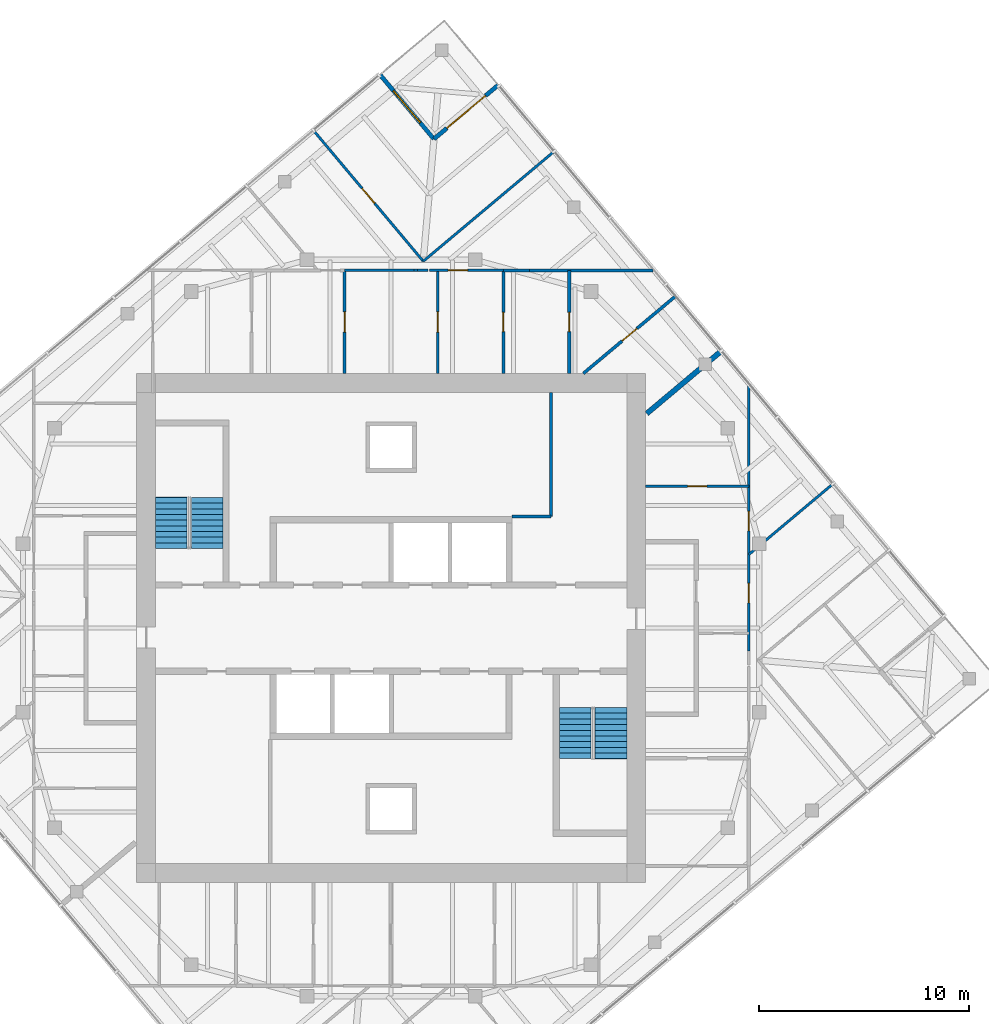
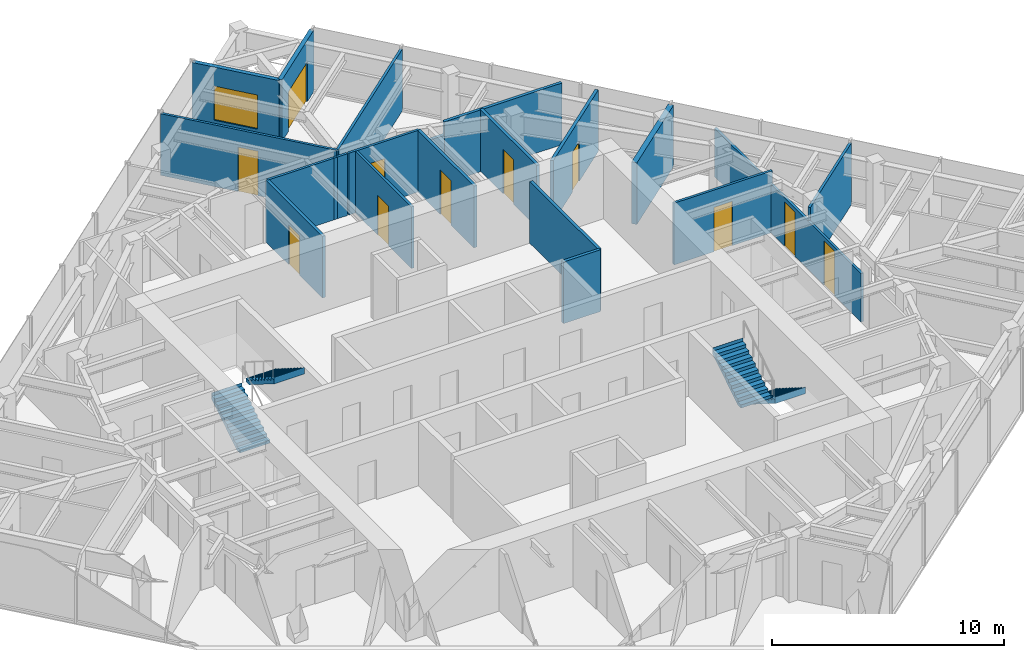
# One storey, part 10 of 11: 21 walls, 11 doors, 4 stair flights, 1 window, 12 openings, 2 elements without a shape of their own.
"""IFC4 building model written with IfcOpenShell, lengths in metres."""

from ifc_helpers import new_model, si_unit, direction, frame, frame_2d, origin, place, context, subcontext, project, spatial, polyline, rectangle, outline, extrude, material, layer, layer_set, type_object, element, fill, aggregate, save


model = new_model("IFC4")

# Units and contexts
model_context = context("Model", 3, precision=1e-05, world=origin(), true_north=direction((0.0, 1.0)))
body_context = subcontext(model_context, "Body", "Model", "MODEL_VIEW")
ifc_project = project(units=[si_unit("LENGTHUNIT", "METRE"), si_unit("AREAUNIT", "SQUARE_METRE"), si_unit("VOLUMEUNIT", "CUBIC_METRE"), si_unit("PLANEANGLEUNIT", "RADIAN"), si_unit("MASSUNIT", "GRAM", prefix="KILO")], contexts=[model_context])

# Site, building, storey
site_placement = place(None, origin())
site = spatial("IfcSite", under=ifc_project, at=site_placement, CompositionType="ELEMENT")
building_placement = place(site_placement, origin())
building = spatial("IfcBuilding", under=site, at=building_placement, Name="Torsade Residences", CompositionType="ELEMENT")
storey_placement = place(building_placement, frame((0.0, 0.0, 272.60009765625)))
storey = spatial("IfcBuildingStorey", under=building, at=storey_placement, Name="L75", CompositionType="ELEMENT", Elevation=272.60009765625)

# Wall, opening, door
ifc_material_1 = material(Name="Plasterboard on steel stud", Category="steel")
ifc_layer_1 = layer(ifc_material_1, 0.1201171875)
ifc_layer_set_1 = layer_set([ifc_layer_1], Name="Plasterboard on steel stud")
wall_type_1 = type_object("IfcWallType", Name="PARTITION 120", PredefinedType="PARTITIONING", material=ifc_layer_set_1)
wall_1_placement = place(storey_placement, frame((52.10009765625, 36.729736328125, 0.0), z_axis=(0.0, 0.0, 1.0), x_axis=(1.0, 0.0, 0.0)))
wall_1 = element("IfcWall", 1, at=wall_1_placement, inside=storey, type_object=wall_type_1, Name="Partition L75", PredefinedType="PARTITIONING", context=body_context, shape_type="SweptSolid", body=[
    extrude(rectangle(XDim=4.89990234375, YDim=0.1201171875, at=frame_2d((2.449951171875, 0.0))), origin(), (0.0, 0.0, 1.0), 3.25),
])
opening_1_placement = place(wall_1_placement, frame((1.989990234375, 0.0, 0.0)))
opening_1 = element("IfcOpeningElement", 2, at=opening_1_placement, cuts=wall_1, Name="Opening D02", PredefinedType="OPENING", context=body_context, shape_type="SweptSolid", body=[
    extrude(rectangle(XDim=0.919921875, YDim=2.340087890625, at=frame_2d((0.4599609375, 1.169921875))), frame((0.0, 0.070068359375, 0.0), z_axis=(0.0, -1.0, 0.0), x_axis=(1.0, 0.0, 0.0)), (0.0, 0.0, 1.0), 0.14013671875),
])
ifc_material_2 = material(Name="Hollow-core timber door", Category="wood")
door_type_1 = type_object("IfcDoorType", Name="INTERNAL DOOR 920x2340", OperationType="NOTDEFINED", PredefinedType="DOOR", material=ifc_material_2)
door_1_placement = place(opening_1_placement, origin())
door_1 = element("IfcDoor", 3, at=door_1_placement, inside=storey, type_object=door_type_1, Name="Door Kitchen and dining to Scullery", OperationType="SINGLE_SWING_RIGHT", OverallHeight=2.340087890625, OverallWidth=0.919921875, PredefinedType="DOOR", context=body_context, shape_type="SweptSolid", body=[
    extrude(rectangle(XDim=0.919921875, YDim=2.340087890625, at=frame_2d((0.4599609375, 1.169921875))), frame((0.0, 0.02490234375, 0.0), z_axis=(0.0, -1.0, 0.0), x_axis=(1.0, 0.0, 0.0)), (0.0, 0.0, 1.0), 0.050048828125),
])
fill(opening_1, door_1)

# Wall, openings, doors
wall_2_placement = place(storey_placement, frame((57.0, 41.5703125, 0.0), z_axis=(0.0, 0.0, 1.0), x_axis=(0.0, -1.0, 0.0)))
wall_2 = element("IfcWall", 4, at=wall_2_placement, inside=storey, type_object=wall_type_1, Name="Partition L75", PredefinedType="PARTITIONING", context=body_context, shape_type="SweptSolid", body=[
    extrude(rectangle(XDim=12.65576171875, YDim=0.1201171875, at=frame_2d((6.327880859375, 0.0))), origin(), (0.0, 0.0, 1.0), 2.5498046875),
])
opening_2_placement = place(wall_2_placement, frame((9.449462890625, 0.0, 0.0)))
opening_2 = element("IfcOpeningElement", 5, at=opening_2_placement, cuts=wall_2, Name="Opening D02", PredefinedType="OPENING", context=body_context, shape_type="SweptSolid", body=[
    extrude(rectangle(XDim=0.919921875, YDim=2.340087890625, at=frame_2d((0.4599609375, 1.169921875))), frame((0.0, 0.070068359375, 0.0), z_axis=(0.0, -1.0, 0.0), x_axis=(1.0, 0.0, 0.0)), (0.0, 0.0, 1.0), 0.14013671875),
])
opening_3_placement = place(wall_2_placement, frame((6.030517578125, 0.0, 0.0)))
opening_3 = element("IfcOpeningElement", 6, at=opening_3_placement, cuts=wall_2, Name="Opening D02", PredefinedType="OPENING", context=body_context, shape_type="SweptSolid", body=[
    extrude(rectangle(XDim=0.919921875, YDim=2.340087890625, at=frame_2d((0.4599609375, 1.169921875))), frame((0.0, 0.070068359375, 0.0), z_axis=(0.0, -1.0, 0.0), x_axis=(1.0, 0.0, 0.0)), (0.0, 0.0, 1.0), 0.14013671875),
])
door_2_placement = place(opening_2_placement, origin())
door_2 = element("IfcDoor", 7, at=door_2_placement, inside=storey, type_object=door_type_1, Name="Door Kitchen and dining to Bedroom 4", OperationType="SINGLE_SWING_LEFT", OverallHeight=2.340087890625, OverallWidth=0.919921875, PredefinedType="DOOR", context=body_context, shape_type="SweptSolid", body=[
    extrude(rectangle(XDim=0.919921875, YDim=2.340087890625, at=frame_2d((0.4599609375, 1.169921875))), frame((0.0, 0.02490234375, 0.0), z_axis=(0.0, -1.0, 0.0), x_axis=(1.0, 0.0, 0.0)), (0.0, 0.0, 1.0), 0.050048828125),
])
fill(opening_2, door_2)
door_3_placement = place(opening_3_placement, origin())
door_3 = element("IfcDoor", 8, at=door_3_placement, inside=storey, type_object=door_type_1, Name="Door Kitchen and dining to Media room", OperationType="SINGLE_SWING_RIGHT", OverallHeight=2.340087890625, OverallWidth=0.919921875, PredefinedType="DOOR", context=body_context, shape_type="SweptSolid", body=[
    extrude(rectangle(XDim=0.919921875, YDim=2.340087890625, at=frame_2d((0.4599609375, 1.169921875))), frame((0.0, 0.02490234375, 0.0), z_axis=(0.0, -1.0, 0.0), x_axis=(1.0, 0.0, 0.0)), (0.0, 0.0, 1.0), 0.050048828125),
])
fill(opening_3, door_3)

# Wall
wall_3_placement = place(storey_placement, frame((57.0, 33.4951171875, 0.0), z_axis=(0.0, 0.0, 1.0), x_axis=(0.76605407051, 0.642776136034, 0.0)))
element("IfcWall", 9, at=wall_3_placement, inside=storey, type_object=wall_type_1, Name="Partition L75", PredefinedType="PARTITIONING", context=body_context, shape_type="SweptSolid", body=[
    extrude(rectangle(XDim=5.190673828125, YDim=0.1201171875, at=frame_2d((2.59521484375, 0.0))), origin(), (0.0, 0.0, 1.0), 3.25),
])

# Wall, opening, door
wall_4_placement = place(storey_placement, frame((42.208251953125, 47.0, 0.0), z_axis=(0.0, 0.0, 1.0), x_axis=(0.0, -1.0, 0.0)))
wall_4 = element("IfcWall", 10, at=wall_4_placement, inside=storey, type_object=wall_type_1, Name="Partition L75", PredefinedType="PARTITIONING", context=body_context, shape_type="SweptSolid", body=[
    extrude(rectangle(XDim=4.89990234375, YDim=0.1201171875, at=frame_2d((2.449951171875, 0.0))), origin(), (0.0, 0.0, 1.0), 3.25),
])
opening_4_placement = place(wall_4_placement, frame((1.969970703125, 0.0, 0.0)))
opening_4 = element("IfcOpeningElement", 11, at=opening_4_placement, cuts=wall_4, Name="Opening D05", PredefinedType="OPENING", context=body_context, shape_type="SweptSolid", body=[
    extrude(rectangle(XDim=0.9599609375, YDim=2.10009765625, at=frame_2d((0.47998046875, 1.050048828125))), frame((0.0, 0.070068359375, 0.0), z_axis=(0.0, -1.0, 0.0), x_axis=(1.0, 0.0, 0.0)), (0.0, 0.0, 1.0), 0.14013671875),
])
ifc_material_3 = material(Name="Hollow-core timber door in a steel cavity frame", Category="steel")
door_type_2 = type_object("IfcDoorType", Name="BATHROOM CAVITY SLIDING DOOR 960", OperationType="SLIDING_TO_LEFT", PredefinedType="DOOR", material=ifc_material_3)
door_4_placement = place(opening_4_placement, origin())
door_4 = element("IfcDoor", 12, at=door_4_placement, inside=storey, type_object=door_type_2, Name="Door Laundry to Walk-in robe", OperationType="SLIDING_TO_LEFT", OverallHeight=2.10009765625, OverallWidth=0.9599609375, PredefinedType="DOOR", context=body_context, shape_type="SweptSolid", body=[
    extrude(rectangle(XDim=0.9599609375, YDim=2.10009765625, at=frame_2d((0.47998046875, 1.050048828125))), frame((0.0, 0.02490234375, 0.0), z_axis=(0.0, -1.0, 0.0), x_axis=(1.0, 0.0, 0.0)), (0.0, 0.0, 1.0), 0.050048828125),
])
fill(opening_4, door_4)

# Wall
wall_5_placement = place(storey_placement, frame((41.257568359375, 47.0, 0.0), z_axis=(0.0, 0.0, 1.0), x_axis=(1.0, 0.0, 0.0)))
element("IfcWall", 13, at=wall_5_placement, inside=storey, type_object=wall_type_1, Name="Partition L75", PredefinedType="PARTITIONING", context=body_context, shape_type="SweptSolid", body=[
    extrude(rectangle(XDim=0.503662109375, YDim=0.1201171875, at=frame_2d((0.251953125, 0.0))), origin(), (0.0, 0.0, 1.0), 3.25),
])

# Wall, opening, door
wall_6_placement = place(storey_placement, frame((41.824462890625, 47.0, 0.0), z_axis=(0.0, 0.0, 1.0), x_axis=(1.0, 0.0, 0.0)))
wall_6 = element("IfcWall", 14, at=wall_6_placement, inside=storey, type_object=wall_type_1, Name="Partition L75", PredefinedType="PARTITIONING", context=body_context, shape_type="SweptSolid", body=[
    extrude(rectangle(XDim=3.51123046875, YDim=0.1201171875, at=frame_2d((1.755615234375, 0.0))), origin(), (0.0, 0.0, 1.0), 3.25),
])
opening_5_placement = place(wall_6_placement, frame((0.887451171875, 0.0, 0.0)))
opening_5 = element("IfcOpeningElement", 15, at=opening_5_placement, cuts=wall_6, Name="Opening D02", PredefinedType="OPENING", context=body_context, shape_type="SweptSolid", body=[
    extrude(rectangle(XDim=0.919921875, YDim=2.340087890625, at=frame_2d((0.4599609375, 1.169921875))), frame((0.0, 0.070068359375, 0.0), z_axis=(0.0, -1.0, 0.0), x_axis=(1.0, 0.0, 0.0)), (0.0, 0.0, 1.0), 0.14013671875),
])
door_5_placement = place(opening_5_placement, origin())
door_5 = element("IfcDoor", 16, at=door_5_placement, inside=storey, type_object=door_type_1, Name="Door Walk-in robe to Bedroom 2", OperationType="SINGLE_SWING_RIGHT", OverallHeight=2.340087890625, OverallWidth=0.919921875, PredefinedType="DOOR", context=body_context, shape_type="SweptSolid", body=[
    extrude(rectangle(XDim=0.919921875, YDim=2.340087890625, at=frame_2d((0.4599609375, 1.169921875))), frame((0.0, 0.02490234375, 0.0), z_axis=(0.0, -1.0, 0.0), x_axis=(1.0, 0.0, 0.0)), (0.0, 0.0, 1.0), 0.050048828125),
])
fill(opening_5, door_5)

# Walls
wall_7_placement = place(storey_placement, frame((37.7861328125, 47.0, 0.0), z_axis=(0.0, 0.0, 1.0), x_axis=(1.0, 0.0, 0.0)))
element("IfcWall", 17, at=wall_7_placement, inside=storey, type_object=wall_type_1, Name="Partition L75", PredefinedType="PARTITIONING", context=body_context, shape_type="SweptSolid", body=[
    extrude(rectangle(XDim=3.29931640625, YDim=0.1201171875, at=frame_2d((1.649658203125, 0.0))), origin(), (0.0, 0.0, 1.0), 3.25),
])
wall_8_placement = place(storey_placement, frame((47.71875, 52.63134765625, 0.0), z_axis=(0.0, 0.0, 1.0), x_axis=(-0.766033729027, -0.642800378028, 0.0)))
element("IfcWall", 18, at=wall_8_placement, inside=storey, type_object=wall_type_1, Name="Partition L75", PredefinedType="PARTITIONING", context=body_context, shape_type="SweptSolid", body=[
    extrude(rectangle(XDim=8.0849609375, YDim=0.1201171875, at=frame_2d((4.04248046875, 0.0))), origin(), (0.0, 0.0, 1.0), 3.25),
])

# Wall, opening, door
wall_9_placement = place(storey_placement, frame((41.525390625, 47.434326171875, 0.0), z_axis=(0.0, 0.0, 1.0), x_axis=(-0.642800378028, 0.766033729027, 0.0)))
wall_9 = element("IfcWall", 19, at=wall_9_placement, inside=storey, type_object=wall_type_1, Name="Partition L75", PredefinedType="PARTITIONING", context=body_context, shape_type="SweptSolid", body=[
    extrude(rectangle(XDim=8.0849609375, YDim=0.1201171875, at=frame_2d((4.04248046875, 0.0))), origin(), (0.0, 0.0, 1.0), 3.25),
])
opening_6_placement = place(wall_9_placement, frame((3.6025390625, 0.0, 0.0)))
opening_6 = element("IfcOpeningElement", 20, at=opening_6_placement, cuts=wall_9, Name="Opening D02", PredefinedType="OPENING", context=body_context, shape_type="SweptSolid", body=[
    extrude(rectangle(XDim=0.919921875, YDim=2.340087890625, at=frame_2d((0.4599609375, 1.169921875))), frame((0.0, 0.070068359375, 0.0), z_axis=(0.0, -1.0, 0.0), x_axis=(1.0, 0.0, 0.0)), (0.0, 0.0, 1.0), 0.14013671875),
])
door_6_placement = place(opening_6_placement, origin())
door_6 = element("IfcDoor", 21, at=door_6_placement, inside=storey, type_object=door_type_1, Name="Door Bedroom 4 to Living room", OperationType="SINGLE_SWING_LEFT", OverallHeight=2.340087890625, OverallWidth=0.919921875, PredefinedType="DOOR", context=body_context, shape_type="SweptSolid", body=[
    extrude(rectangle(XDim=0.919921875, YDim=2.340087890625, at=frame_2d((0.4599609375, 1.169921875))), frame((0.0, 0.02490234375, 0.0), z_axis=(0.0, -1.0, 0.0), x_axis=(1.0, 0.0, 0.0)), (0.0, 0.0, 1.0), 0.050048828125),
])
fill(opening_6, door_6)

# Walls
wall_10_placement = place(storey_placement, frame((41.257568359375, 47.0, 0.0), z_axis=(0.0, 0.0, 1.0), x_axis=(-1.0, 0.0, 0.0)))
element("IfcWall", 22, at=wall_10_placement, inside=storey, type_object=wall_type_1, Name="Partition L75", PredefinedType="PARTITIONING", context=body_context, shape_type="SweptSolid", body=[
    extrude(rectangle(XDim=0.172119140625, YDim=0.1201171875, at=frame_2d((0.0859375, 0.0))), origin(), (0.0, 0.0, 1.0), 3.25),
])
ifc_material_4 = material(Name="Masonry-lined stud party wall", Category="masonry")
ifc_layer_2 = layer(ifc_material_4, 0.25)
ifc_layer_set_2 = layer_set([ifc_layer_2], Name="Masonry-lined stud party wall")
wall_type_2 = type_object("IfcWallType", Name="PARTY WALL 250", PredefinedType="PARTITIONING", material=ifc_layer_set_2)
wall_11_placement = place(storey_placement, frame((55.703857421875, 43.17724609375, 0.0), z_axis=(0.0, 0.0, 1.0), x_axis=(-0.76603440109, -0.64279957712, 0.0)))
element("IfcWall", 23, at=wall_11_placement, inside=storey, type_object=wall_type_2, Name="Party wall L75", PredefinedType="PARTITIONING", context=body_context, shape_type="SweptSolid", body=[
    extrude(rectangle(XDim=4.6396484375, YDim=0.25, at=frame_2d((2.31982421875, 0.0))), origin(), (0.0, 0.0, 1.0), 3.25),
])
ifc_material_5 = material(Name="Reinforced blockwork", Category="masonry")
ifc_layer_3 = layer(ifc_material_5, 0.14990234375)
ifc_layer_set_3 = layer_set([ifc_layer_3], Name="Reinforced blockwork")
wall_type_3 = type_object("IfcWallType", Name="SERVICE ROOM WALL 150", PredefinedType="SOLIDWALL", material=ifc_layer_set_3)
wall_12_placement = place(storey_placement, frame((47.60009765625, 41.199951171875, 0.0), z_axis=(0.0, 0.0, 1.0), x_axis=(0.0, -1.0, 0.0)))
element("IfcWall", 24, at=wall_12_placement, inside=storey, type_object=wall_type_3, Name="Service room wall L75", PredefinedType="SOLIDWALL", context=body_context, shape_type="SweptSolid", body=[
    extrude(rectangle(XDim=5.89990234375, YDim=0.14990234375, at=frame_2d((2.949951171875, 0.0))), origin(), (0.0, 0.0, 1.0), 3.25),
])
wall_13_placement = place(storey_placement, frame((47.60009765625, 35.300048828125, 0.0), z_axis=(0.0, 0.0, 1.0), x_axis=(-1.0, 0.0, 0.0)))
element("IfcWall", 25, at=wall_13_placement, inside=storey, type_object=wall_type_3, Name="Service room wall L75", PredefinedType="SOLIDWALL", context=body_context, shape_type="SweptSolid", body=[
    extrude(rectangle(XDim=1.85009765625, YDim=0.14990234375, at=frame_2d((0.925048828125, 0.0))), origin(), (0.0, 0.0, 1.0), 3.25),
])

# Wall, opening, door
wall_14_placement = place(storey_placement, frame((37.7861328125, 42.10009765625, 0.0), z_axis=(0.0, 0.0, 1.0), x_axis=(0.0, 1.0, 0.0)))
wall_14 = element("IfcWall", 26, at=wall_14_placement, inside=storey, type_object=wall_type_3, Name="Service room wall L75", PredefinedType="SOLIDWALL", context=body_context, shape_type="SweptSolid", body=[
    extrude(rectangle(XDim=4.89990234375, YDim=0.14990234375, at=frame_2d((2.449951171875, 0.0))), origin(), (0.0, 0.0, 1.0), 3.25),
])
opening_7_placement = place(wall_14_placement, frame((1.969970703125, 0.0, 0.0)))
opening_7 = element("IfcOpeningElement", 27, at=opening_7_placement, cuts=wall_14, Name="Opening D05", PredefinedType="OPENING", context=body_context, shape_type="SweptSolid", body=[
    extrude(rectangle(XDim=0.9599609375, YDim=2.10009765625, at=frame_2d((0.47998046875, 1.050048828125))), frame((0.0, 0.0849609375, 0.0), z_axis=(0.0, -1.0, 0.0), x_axis=(1.0, 0.0, 0.0)), (0.0, 0.0, 1.0), 0.169921875),
])
door_7_placement = place(opening_7_placement, origin())
door_7 = element("IfcDoor", 28, at=door_7_placement, inside=storey, type_object=door_type_2, Name="Door Linen store to Laundry", OperationType="SLIDING_TO_LEFT", OverallHeight=2.10009765625, OverallWidth=0.9599609375, PredefinedType="DOOR", context=body_context, shape_type="SweptSolid", body=[
    extrude(rectangle(XDim=0.9599609375, YDim=2.10009765625, at=frame_2d((0.47998046875, 1.050048828125))), frame((0.0, 0.02490234375, 0.0), z_axis=(0.0, -1.0, 0.0), x_axis=(1.0, 0.0, 0.0)), (0.0, 0.0, 1.0), 0.050048828125),
])
fill(opening_7, door_7)

wall_15_placement = place(storey_placement, frame((49.135986328125, 42.10009765625, 0.0), z_axis=(0.0, 0.0, 1.0), x_axis=(0.766055078255, 0.642774935012, 0.0)))
wall_15 = element("IfcWall", 29, at=wall_15_placement, inside=storey, type_object=wall_type_3, Name="Service room wall L75", PredefinedType="SOLIDWALL", context=body_context, shape_type="SweptSolid", body=[
    extrude(rectangle(XDim=5.68359375, YDim=0.14990234375, at=frame_2d((2.841796875, 0.0))), origin(), (0.0, 0.0, 1.0), 3.25),
])
opening_8_placement = place(wall_15_placement, frame((2.40185546875, 0.0, 0.0)))
opening_8 = element("IfcOpeningElement", 30, at=opening_8_placement, cuts=wall_15, Name="Opening D02L", PredefinedType="OPENING", context=body_context, shape_type="SweptSolid", body=[
    extrude(rectangle(XDim=0.919921875, YDim=2.10009765625, at=frame_2d((0.4599609375, 1.050048828125))), frame((0.0, 0.0849609375, 0.0), z_axis=(0.0, -1.0, 0.0), x_axis=(1.0, 0.0, 0.0)), (0.0, 0.0, 1.0), 0.169921875),
])
ifc_material_6 = material(Name="Hollow-core timber door", Category="wood")
door_type_3 = type_object("IfcDoorType", Name="INTERNAL DOOR 920x2100", OperationType="NOTDEFINED", PredefinedType="DOOR", material=ifc_material_6)
door_8_placement = place(opening_8_placement, origin())
door_8 = element("IfcDoor", 31, at=door_8_placement, inside=storey, type_object=door_type_3, Name="Door Linen store 2 to Study", OperationType="SINGLE_SWING_LEFT", OverallHeight=2.10009765625, OverallWidth=0.919921875, PredefinedType="DOOR", context=body_context, shape_type="SweptSolid", body=[
    extrude(rectangle(XDim=0.919921875, YDim=2.10009765625, at=frame_2d((0.4599609375, 1.050048828125))), frame((0.0, 0.02490234375, 0.0), z_axis=(0.0, -1.0, 0.0), x_axis=(1.0, 0.0, 0.0)), (0.0, 0.0, 1.0), 0.050048828125),
])
fill(opening_8, door_8)

wall_16_placement = place(storey_placement, frame((48.463134765625, 42.10009765625, 0.0), z_axis=(0.0, 0.0, 1.0), x_axis=(0.0, 1.0, 0.0)))
wall_16 = element("IfcWall", 32, at=wall_16_placement, inside=storey, type_object=wall_type_3, Name="Service room wall L75", PredefinedType="SOLIDWALL", context=body_context, shape_type="SweptSolid", body=[
    extrude(rectangle(XDim=4.89990234375, YDim=0.14990234375, at=frame_2d((2.449951171875, 0.0))), origin(), (0.0, 0.0, 1.0), 3.25),
])
opening_9_placement = place(wall_16_placement, frame((1.989990234375, 0.0, 0.0)))
opening_9 = element("IfcOpeningElement", 33, at=opening_9_placement, cuts=wall_16, Name="Opening D02", PredefinedType="OPENING", context=body_context, shape_type="SweptSolid", body=[
    extrude(rectangle(XDim=0.919921875, YDim=2.340087890625, at=frame_2d((0.4599609375, 1.169921875))), frame((0.0, 0.0849609375, 0.0), z_axis=(0.0, -1.0, 0.0), x_axis=(1.0, 0.0, 0.0)), (0.0, 0.0, 1.0), 0.169921875),
])
door_9_placement = place(opening_9_placement, origin())
door_9 = element("IfcDoor", 34, at=door_9_placement, inside=storey, type_object=door_type_1, Name="Door Store to Linen store 2", OperationType="SINGLE_SWING_RIGHT", OverallHeight=2.340087890625, OverallWidth=0.919921875, PredefinedType="DOOR", context=body_context, shape_type="SweptSolid", body=[
    extrude(rectangle(XDim=0.919921875, YDim=2.340087890625, at=frame_2d((0.4599609375, 1.169921875))), frame((0.0, 0.02490234375, 0.0), z_axis=(0.0, -1.0, 0.0), x_axis=(1.0, 0.0, 0.0)), (0.0, 0.0, 1.0), 0.050048828125),
])
fill(opening_9, door_9)

# Walls
wall_17_placement = place(storey_placement, frame((45.335693359375, 47.0, 0.0), z_axis=(0.0, 0.0, 1.0), x_axis=(1.0, 0.0, 0.0)))
element("IfcWall", 35, at=wall_17_placement, inside=storey, type_object=wall_type_3, Name="Service room wall L75", PredefinedType="SOLIDWALL", context=body_context, shape_type="SweptSolid", body=[
    extrude(rectangle(XDim=1.247802734375, YDim=0.14990234375, at=frame_2d((0.6240234375, 0.0))), origin(), (0.0, 0.0, 1.0), 2.5498046875),
])
wall_18_placement = place(storey_placement, frame((46.58349609375, 47.0, 0.0), z_axis=(0.0, 0.0, 1.0), x_axis=(1.0, 0.0, 0.0)))
element("IfcWall", 36, at=wall_18_placement, inside=storey, type_object=wall_type_3, Name="Service room wall L75", PredefinedType="SOLIDWALL", context=body_context, shape_type="SweptSolid", body=[
    extrude(rectangle(XDim=5.8603515625, YDim=0.14990234375, at=frame_2d((2.93017578125, 0.0))), origin(), (0.0, 0.0, 1.0), 3.25),
])

# Wall, opening, door
wall_19_placement = place(storey_placement, frame((45.335693359375, 47.0, 0.0), z_axis=(0.0, 0.0, 1.0), x_axis=(0.0, -1.0, 0.0)))
wall_19 = element("IfcWall", 37, at=wall_19_placement, inside=storey, type_object=wall_type_3, Name="Service room wall L75", PredefinedType="SOLIDWALL", context=body_context, shape_type="SweptSolid", body=[
    extrude(rectangle(XDim=4.89990234375, YDim=0.14990234375, at=frame_2d((2.449951171875, 0.0))), origin(), (0.0, 0.0, 1.0), 3.25),
])
opening_10_placement = place(wall_19_placement, frame((1.989990234375, 0.0, 0.0)))
opening_10 = element("IfcOpeningElement", 38, at=opening_10_placement, cuts=wall_19, Name="Opening D02", PredefinedType="OPENING", context=body_context, shape_type="SweptSolid", body=[
    extrude(rectangle(XDim=0.919921875, YDim=2.340087890625, at=frame_2d((0.4599609375, 1.169921875))), frame((0.0, 0.0849609375, 0.0), z_axis=(0.0, -1.0, 0.0), x_axis=(1.0, 0.0, 0.0)), (0.0, 0.0, 1.0), 0.169921875),
])
door_10_placement = place(opening_10_placement, origin())
door_10 = element("IfcDoor", 39, at=door_10_placement, inside=storey, type_object=door_type_1, Name="Door Walk-in robe to Store", OperationType="SINGLE_SWING_LEFT", OverallHeight=2.340087890625, OverallWidth=0.919921875, PredefinedType="DOOR", context=body_context, shape_type="SweptSolid", body=[
    extrude(rectangle(XDim=0.919921875, YDim=2.340087890625, at=frame_2d((0.4599609375, 1.169921875))), frame((0.0, 0.02490234375, 0.0), z_axis=(0.0, -1.0, 0.0), x_axis=(1.0, 0.0, 0.0)), (0.0, 0.0, 1.0), 0.050048828125),
])
fill(opening_10, door_10)

ifc_material_7 = material(Name="Stone-faced precast concrete 40 MPa panel", Category="masonry")
ifc_layer_4 = layer(ifc_material_7, 0.199951171875)
ifc_layer_set_4 = layer_set([ifc_layer_4], Name="Stone-faced precast concrete 40 MPa panel")
wall_type_4 = type_object("IfcWallType", Name="TERRACE WALL 200", PredefinedType="SOLIDWALL", material=ifc_layer_set_4)
wall_20_placement = place(storey_placement, frame((45.097900390625, 55.81689453125, 0.0), z_axis=(0.0, 0.0, 1.0), x_axis=(-0.766060656284, -0.642768287094, 0.0)))
wall_20 = element("IfcWall", 40, at=wall_20_placement, inside=storey, type_object=wall_type_4, Name="Terrace wall L75 5", PredefinedType="SOLIDWALL", context=body_context, shape_type="SweptSolid", body=[
    extrude(rectangle(XDim=4.0, YDim=0.199951171875, at=frame_2d((2.0, 0.0))), origin(), (0.0, 0.0, 1.0), 3.25),
])
opening_11_placement = place(wall_20_placement, frame((0.800048828125, 0.0, 0.0)))
opening_11 = element("IfcOpeningElement", 41, at=opening_11_placement, cuts=wall_20, Name="Opening D10A", PredefinedType="OPENING", context=body_context, shape_type="SweptSolid", body=[
    extrude(rectangle(XDim=2.39990234375, YDim=2.10009765625, at=frame_2d((1.199951171875, 1.050048828125))), frame((0.0, 0.10986328125, 0.0), z_axis=(0.0, -1.0, 0.0), x_axis=(1.0, 0.0, 0.0)), (0.0, 0.0, 1.0), 0.219970703125),
])
ifc_material_8 = material(Name="Aluminium-framed glass door", Category="aluminium")
door_type_4 = type_object("IfcDoorType", Name="TERRACE SLIDING DOOR 2400x2100", OperationType="SLIDING_TO_LEFT", PredefinedType="DOOR", material=ifc_material_8)
door_11_placement = place(opening_11_placement, origin())
door_11 = element("IfcDoor", 42, at=door_11_placement, inside=storey, type_object=door_type_4, Name="Terrace door L75 5", OperationType="SLIDING_TO_LEFT", OverallHeight=2.10009765625, OverallWidth=2.39990234375, PredefinedType="DOOR", context=body_context, shape_type="SweptSolid", body=[
    extrude(rectangle(XDim=2.39990234375, YDim=2.10009765625, at=frame_2d((1.199951171875, 1.050048828125))), frame((0.0, 0.02490234375, 0.0), z_axis=(0.0, -1.0, 0.0), x_axis=(1.0, 0.0, 0.0)), (0.0, 0.0, 1.0), 0.050048828125),
])
fill(opening_11, door_11)

# Wall, opening, window
wall_21_placement = place(storey_placement, frame((42.03369140625, 53.245849609375, 0.0), z_axis=(0.0, 0.0, 1.0), x_axis=(-0.642798342015, 0.766035437498, 0.0)))
wall_21 = element("IfcWall", 43, at=wall_21_placement, inside=storey, type_object=wall_type_4, Name="Terrace wall L75 6", PredefinedType="SOLIDWALL", context=body_context, shape_type="SweptSolid", body=[
    extrude(rectangle(XDim=3.999755859375, YDim=0.199951171875, at=frame_2d((2.0, 0.0))), origin(), (0.0, 0.0, 1.0), 3.25),
])
opening_12_placement = place(wall_21_placement, frame((1.0, 0.0, 0.449951171875)))
opening_12 = element("IfcOpeningElement", 44, at=opening_12_placement, cuts=wall_21, Name="Opening W1B", PredefinedType="OPENING", context=body_context, shape_type="SweptSolid", body=[
    extrude(rectangle(XDim=2.0, YDim=1.800048828125, at=frame_2d((1.0, 0.89990234375))), frame((0.0, 0.10986328125, 0.0), z_axis=(0.0, -1.0, 0.0), x_axis=(1.0, 0.0, 0.0)), (0.0, 0.0, 1.0), 0.219970703125),
])
ifc_material_9 = material(Name="Aluminium-framed glass window", Category="aluminium")
window_type = type_object("IfcWindowType", Name="TERRACE WINDOW 2000x1800", PartitioningType="SINGLE_PANEL", PredefinedType="WINDOW", material=ifc_material_9)
window_placement = place(opening_12_placement, origin())
window = element("IfcWindow", 45, at=window_placement, inside=storey, type_object=window_type, Name="Terrace window L75 6", OverallHeight=1.800048828125, OverallWidth=2.0, PartitioningType="SINGLE_PANEL", PredefinedType="WINDOW", context=body_context, shape_type="SweptSolid", body=[
    extrude(rectangle(XDim=2.0, YDim=1.800048828125, at=frame_2d((1.0, 0.89990234375))), frame((0.0, 0.030029296875, 0.0), z_axis=(0.0, -1.0, 0.0), x_axis=(1.0, 0.0, 0.0)), (0.0, 0.0, 1.0), 0.06005859375),
])
fill(opening_12, window)

# Stair, stair flights
ifc_material_10 = material(Name="Precast concrete 40 MPa", Category="concrete")
stair_type = type_object("IfcStairType", Name="HALF-TURN FIRE STAIR 1500x3400", PredefinedType="HALF_TURN_STAIR", material=ifc_material_10)
stair_1_placement = place(storey_placement, origin())
stair_1 = element("IfcStair", 46, at=stair_1_placement, inside=storey, type_object=stair_type, Name="Stair ST1 L75", PredefinedType="HALF_TURN_STAIR")
ifc_material_11 = material(Name="Precast concrete 40 MPa", Category="concrete")
stair_flight_type = type_object("IfcStairFlightType", Name="PRECAST STAIR FLIGHT 1500x1700", PredefinedType="STRAIGHT", material=ifc_material_11)
stair_flight_1_placement = place(storey_placement, frame((29.550048828125, 33.780029296875, 0.0), z_axis=(0.0, 0.0, 1.0), x_axis=(0.0, 1.0, 0.0)))
stair_flight_1 = element("IfcStairFlight", 47, at=stair_flight_1_placement, type_object=stair_flight_type, Name="ST1 flight 1", NumberOfRisers=10, NumberOfTreads=9, PredefinedType="STRAIGHT", RiserHeight=0.17, TreadLength=0.27, context=body_context, shape_type="SweptSolid", body=[
    extrude(outline(polyline([(0.0, 0.0), (0.0, 0.169921875), (0.27001953125, 0.169921875), (0.27001953125, 0.340087890625), (0.5400390625, 0.340087890625), (0.5400390625, 0.510009765625), (0.81005859375, 0.510009765625), (0.81005859375, 0.679931640625), (1.080078125, 0.679931640625), (1.080078125, 0.85009765625), (1.35009765625, 0.85009765625), (1.35009765625, 1.02001953125), (1.6201171875, 1.02001953125), (1.6201171875, 1.18994140625), (1.889892578125, 1.18994140625), (1.889892578125, 1.360107421875), (2.159912109375, 1.360107421875), (2.159912109375, 1.530029296875), (2.429931640625, 1.530029296875), (2.429931640625, 1.699951171875), (2.43994140625, 1.699951171875), (2.43994140625, 1.352783203125), (2.429931640625, 1.352783203125), (0.28125, 0.0), (0.0, 0.0)])), frame((0.0, 0.75, 0.0), z_axis=(0.0, -1.0, 0.0), x_axis=(1.0, 0.0, 0.0)), (0.0, 0.0, 1.0), 1.5),
])
stair_flight_2_placement = place(storey_placement, frame((31.25, 36.2099609375, 1.699951171875), z_axis=(0.0, 0.0, 1.0), x_axis=(0.0, -1.0, 0.0)))
stair_flight_2 = element("IfcStairFlight", 48, at=stair_flight_2_placement, type_object=stair_flight_type, Name="ST1 flight 2", NumberOfRisers=10, NumberOfTreads=9, PredefinedType="STRAIGHT", RiserHeight=0.17, TreadLength=0.27, context=body_context, shape_type="SweptSolid", body=[
    extrude(outline(polyline([(0.0, 0.0), (0.0, 0.169921875), (0.27001953125, 0.169921875), (0.27001953125, 0.340087890625), (0.5400390625, 0.340087890625), (0.5400390625, 0.510009765625), (0.81005859375, 0.510009765625), (0.81005859375, 0.679931640625), (1.080078125, 0.679931640625), (1.080078125, 0.85009765625), (1.35009765625, 0.85009765625), (1.35009765625, 1.02001953125), (1.6201171875, 1.02001953125), (1.6201171875, 1.18994140625), (1.889892578125, 1.18994140625), (1.889892578125, 1.360107421875), (2.159912109375, 1.360107421875), (2.159912109375, 1.530029296875), (2.429931640625, 1.530029296875), (2.429931640625, 1.699951171875), (2.43994140625, 1.699951171875), (2.43994140625, 1.352783203125), (2.429931640625, 1.352783203125), (0.28125, 0.0), (0.0, 0.0)])), frame((0.0, 0.75, 0.0), z_axis=(0.0, -1.0, 0.0), x_axis=(1.0, 0.0, 0.0)), (0.0, 0.0, 1.0), 1.5),
])
aggregate(stair_1, [stair_flight_1, stair_flight_2])

stair_2_placement = place(storey_placement, origin())
stair_2 = element("IfcStair", 49, at=stair_2_placement, inside=storey, type_object=stair_type, Name="Stair ST2 L75", PredefinedType="HALF_TURN_STAIR")
stair_flight_3_placement = place(storey_placement, frame((50.449951171875, 26.219970703125, 0.0), z_axis=(0.0, 0.0, 1.0), x_axis=(0.0, -1.0, 0.0)))
stair_flight_3 = element("IfcStairFlight", 50, at=stair_flight_3_placement, type_object=stair_flight_type, Name="ST2 flight 1", NumberOfRisers=10, NumberOfTreads=9, PredefinedType="STRAIGHT", RiserHeight=0.17, TreadLength=0.27, context=body_context, shape_type="SweptSolid", body=[
    extrude(outline(polyline([(0.0, 0.0), (0.0, 0.169921875), (0.27001953125, 0.169921875), (0.27001953125, 0.340087890625), (0.5400390625, 0.340087890625), (0.5400390625, 0.510009765625), (0.81005859375, 0.510009765625), (0.81005859375, 0.679931640625), (1.080078125, 0.679931640625), (1.080078125, 0.85009765625), (1.35009765625, 0.85009765625), (1.35009765625, 1.02001953125), (1.6201171875, 1.02001953125), (1.6201171875, 1.18994140625), (1.889892578125, 1.18994140625), (1.889892578125, 1.360107421875), (2.159912109375, 1.360107421875), (2.159912109375, 1.530029296875), (2.429931640625, 1.530029296875), (2.429931640625, 1.699951171875), (2.43994140625, 1.699951171875), (2.43994140625, 1.352783203125), (2.429931640625, 1.352783203125), (0.28125, 0.0), (0.0, 0.0)])), frame((0.0, 0.75, 0.0), z_axis=(0.0, -1.0, 0.0), x_axis=(1.0, 0.0, 0.0)), (0.0, 0.0, 1.0), 1.5),
])
stair_flight_4_placement = place(storey_placement, frame((48.75, 23.7900390625, 1.699951171875), z_axis=(0.0, 0.0, 1.0), x_axis=(0.0, 1.0, 0.0)))
stair_flight_4 = element("IfcStairFlight", 51, at=stair_flight_4_placement, type_object=stair_flight_type, Name="ST2 flight 2", NumberOfRisers=10, NumberOfTreads=9, PredefinedType="STRAIGHT", RiserHeight=0.17, TreadLength=0.27, context=body_context, shape_type="SweptSolid", body=[
    extrude(outline(polyline([(0.0, 0.0), (0.0, 0.169921875), (0.27001953125, 0.169921875), (0.27001953125, 0.340087890625), (0.5400390625, 0.340087890625), (0.5400390625, 0.510009765625), (0.81005859375, 0.510009765625), (0.81005859375, 0.679931640625), (1.080078125, 0.679931640625), (1.080078125, 0.85009765625), (1.35009765625, 0.85009765625), (1.35009765625, 1.02001953125), (1.6201171875, 1.02001953125), (1.6201171875, 1.18994140625), (1.889892578125, 1.18994140625), (1.889892578125, 1.360107421875), (2.159912109375, 1.360107421875), (2.159912109375, 1.530029296875), (2.429931640625, 1.530029296875), (2.429931640625, 1.699951171875), (2.43994140625, 1.699951171875), (2.43994140625, 1.352783203125), (2.429931640625, 1.352783203125), (0.28125, 0.0), (0.0, 0.0)])), frame((0.0, 0.75, 0.0), z_axis=(0.0, -1.0, 0.0), x_axis=(1.0, 0.0, 0.0)), (0.0, 0.0, 1.0), 1.5),
])
aggregate(stair_2, [stair_flight_3, stair_flight_4])

save(model, "model.ifc")
